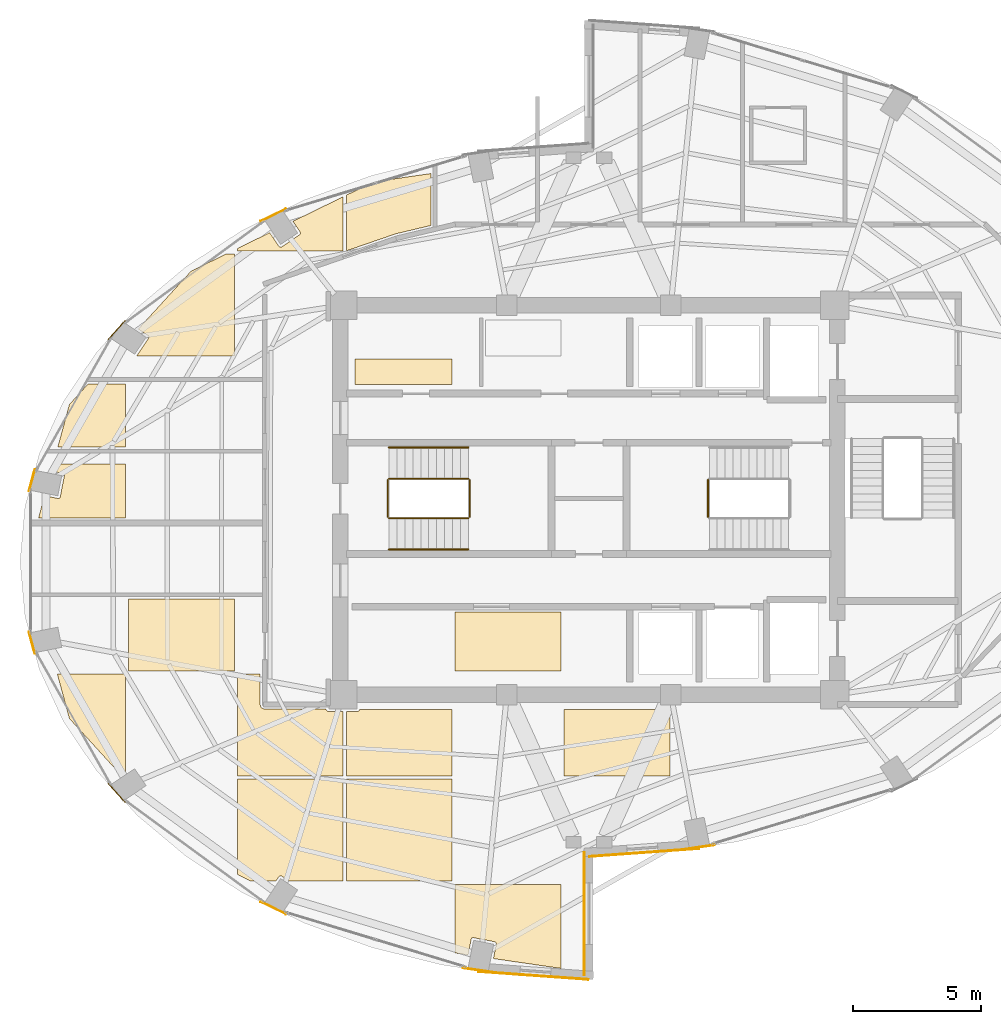
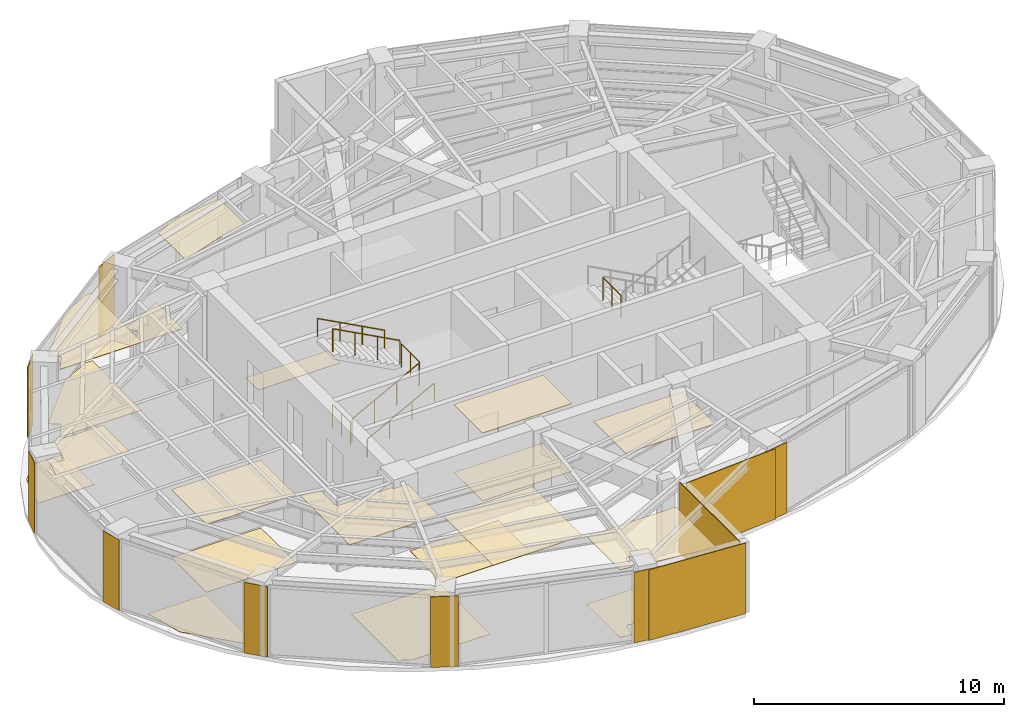
# One storey, part 22 of 23: 30 coverings, 7 railings.
"""IFC4 building model written with IfcOpenShell, lengths in metres."""

from ifc_helpers import new_model, si_unit, direction, frame, origin, origin_2d, place, context, subcontext, project, spatial, polyline, rectangle, circle, outline, extrude, material, layer, layer_set, type_object, element, save


model = new_model("IFC4")

# Units and contexts
model_context = context("Model", 3, precision=1e-05, world=origin(), true_north=direction((0.0, 1.0)))
body_context = subcontext(model_context, "Body", "Model", "MODEL_VIEW")
ifc_project = project(units=[si_unit("LENGTHUNIT", "METRE"), si_unit("AREAUNIT", "SQUARE_METRE"), si_unit("VOLUMEUNIT", "CUBIC_METRE"), si_unit("PLANEANGLEUNIT", "RADIAN"), si_unit("MASSUNIT", "GRAM", prefix="KILO")], contexts=[model_context])

# Site, building, storey
site_placement = place(None, origin())
site = spatial("IfcSite", under=ifc_project, at=site_placement, CompositionType="ELEMENT")
building_placement = place(site_placement, origin())
building = spatial("IfcBuilding", under=site, at=building_placement, Name="Lazwardi Medical Tower", CompositionType="ELEMENT")
storey_placement = place(building_placement, frame((0.0, 0.0, 202.1279296875)))
storey = spatial("IfcBuildingStorey", under=building, at=storey_placement, Name="L52", CompositionType="ELEMENT", Elevation=202.1279296875)

# Coverings
ifc_material_1 = material(Name="Anodised bronze aluminium cassette cladding", Category="aluminium")
ifc_layer_1 = layer(ifc_material_1, 0.030029296875)
ifc_layer_set_1 = layer_set([ifc_layer_1], Name="Anodised bronze aluminium cassette cladding")
covering_type_1 = type_object("IfcCoveringType", Name="COV-CLD-BRZ", PredefinedType="CLADDING", material=ifc_layer_set_1)
covering_1_placement = place(storey_placement, frame((40.3232421875, 14.450439453125, 0.0), z_axis=(0.0, 0.0, 1.0), x_axis=(0.989512431533, 0.144447733943, 0.0)))
element("IfcCovering", 1, at=covering_1_placement, inside=storey, type_object=covering_type_1, Name="L52 Mega-column bronze cassette cover M01", PredefinedType="CLADDING", context=body_context, shape_type="SweptSolid", body=[
    extrude(rectangle(XDim=1.188720703125, YDim=0.030029296875, at=origin_2d()), origin(), (0.0, 0.0, 1.0), 3.447998046875),
])
covering_2_placement = place(storey_placement, frame((23.688720703125, 39.121337890625, 0.0), z_axis=(0.0, 0.0, 1.0), x_axis=(-0.897840141691, -0.440321564278, 0.0)))
element("IfcCovering", 2, at=covering_2_placement, inside=storey, type_object=covering_type_1, Name="L52 Mega-column bronze cassette cover M10", PredefinedType="CLADDING", context=body_context, shape_type="SweptSolid", body=[
    extrude(rectangle(XDim=1.110595703125, YDim=0.030029296875, at=origin_2d()), origin(), (0.0, 0.0, 1.0), 3.447998046875),
])
covering_3_placement = place(storey_placement, frame((17.57470703125, 34.634765625, 0.0), z_axis=(0.0, 0.0, 1.0), x_axis=(-0.673240970654, -0.739423150458, 0.0)))
element("IfcCovering", 3, at=covering_3_placement, inside=storey, type_object=covering_type_1, Name="L52 Mega-column bronze cassette cover M11", PredefinedType="CLADDING", context=body_context, shape_type="SweptSolid", body=[
    extrude(rectangle(XDim=0.98974609375, YDim=0.030029296875, at=origin_2d()), origin(), (0.0, 0.0, 1.0), 3.447998046875),
])
for number, where, z_axis, x_axis, name in (
    (4, (14.265869140625, 28.772705078125, 0.0), (0.0, 0.0, 1.0), (-0.261641748247, -0.96516506131, 0.0), "L52 Mega-column bronze cassette cover M12"),
    (5, (14.265869140625, 22.427490234375, 0.0), (0.0, 0.0, 1.0), (0.261641748247, -0.96516506131, 0.0), "L52 Mega-column bronze cassette cover M13"),
):
    element("IfcCovering", number, at=place(storey_placement, frame(where, z_axis=z_axis, x_axis=x_axis)), inside=storey, type_object=covering_type_1, Name=name, PredefinedType="CLADDING", context=body_context, shape_type="SweptSolid", body=[
        extrude(rectangle(XDim=0.894287109375, YDim=0.030029296875, at=origin_2d()), origin(), (0.0, 0.0, 1.0), 3.447998046875),
    ])
covering_4_placement = place(storey_placement, frame((17.57470703125, 16.565185546875, 0.0), z_axis=(0.0, 0.0, 1.0), x_axis=(0.673240970654, -0.739423150458, 0.0)))
element("IfcCovering", 6, at=covering_4_placement, inside=storey, type_object=covering_type_1, Name="L52 Mega-column bronze cassette cover M14", PredefinedType="CLADDING", context=body_context, shape_type="SweptSolid", body=[
    extrude(rectangle(XDim=0.98974609375, YDim=0.030029296875, at=origin_2d()), origin(), (0.0, 0.0, 1.0), 3.447998046875),
])
covering_5_placement = place(storey_placement, frame((23.688720703125, 12.07861328125, 0.0), z_axis=(0.0, 0.0, 1.0), x_axis=(0.897840141691, -0.440321564278, 0.0)))
element("IfcCovering", 7, at=covering_5_placement, inside=storey, type_object=covering_type_1, Name="L52 Mega-column bronze cassette cover M15", PredefinedType="CLADDING", context=body_context, shape_type="SweptSolid", body=[
    extrude(rectangle(XDim=1.110595703125, YDim=0.030029296875, at=origin_2d()), origin(), (0.0, 0.0, 1.0), 3.447998046875),
])
covering_6_placement = place(storey_placement, frame((31.6767578125, 9.650390625, 0.0), z_axis=(0.0, 0.0, 1.0), x_axis=(0.989512431533, -0.144447733943, 0.0)))
element("IfcCovering", 8, at=covering_6_placement, inside=storey, type_object=covering_type_1, Name="L52 Mega-column bronze cassette cover M16", PredefinedType="CLADDING", context=body_context, shape_type="SweptSolid", body=[
    extrude(rectangle(XDim=1.188720703125, YDim=0.030029296875, at=origin_2d()), origin(), (0.0, 0.0, 1.0), 3.447998046875),
])
ifc_material_2 = material(Name="Turquoise glazed ceramic tilework cladding", Category="masonry")
ifc_layer_2 = layer(ifc_material_2, 0.034912109375)
ifc_layer_set_2 = layer_set([ifc_layer_2], Name="Turquoise glazed ceramic tilework cladding")
covering_type_2 = type_object("IfcCoveringType", Name="COV-CLD-TRQ", PredefinedType="CLADDING", material=ifc_layer_set_2)
covering_7_placement = place(storey_placement, frame((38.16259765625, 14.239990234375, 0.0), z_axis=(0.0, 0.0, 1.0), x_axis=(0.997409491337, 0.071932653157, 0.0)))
element("IfcCovering", 9, at=covering_7_placement, inside=storey, type_object=covering_type_2, Name="L52 Turquoise glazed ceramic tilework cladding", PredefinedType="CLADDING", context=body_context, shape_type="SweptSolid", body=[
    extrude(rectangle(XDim=4.31103515625, YDim=0.034912109375, at=origin_2d()), origin(), (0.0, 0.0, 1.0), 3.447998046875),
])
covering_8_placement = place(storey_placement, frame((33.83740234375, 9.43994140625, 0.0), z_axis=(0.0, 0.0, 1.0), x_axis=(0.997408989128, -0.071939616387, 0.0)))
element("IfcCovering", 10, at=covering_8_placement, inside=storey, type_object=covering_type_2, Name="L52 Turquoise glazed ceramic tilework cladding", PredefinedType="CLADDING", context=body_context, shape_type="SweptSolid", body=[
    extrude(rectangle(XDim=4.310546875, YDim=0.034912109375, at=origin_2d()), origin(), (0.0, 0.0, 1.0), 3.447998046875),
])
covering_9_placement = place(storey_placement, frame((35.824462890625, 11.860107421875, 0.0), z_axis=(0.0, 0.0, 1.0), x_axis=(0.0, 1.0, 0.0)))
element("IfcCovering", 11, at=covering_9_placement, inside=storey, type_object=covering_type_2, Name="L52 Turquoise glazed ceramic tilework iwan panel", PredefinedType="CLADDING", context=body_context, shape_type="SweptSolid", body=[
    extrude(rectangle(XDim=4.800048828125, YDim=0.034912109375, at=origin_2d()), origin(), (0.0, 0.0, 1.0), 3.447998046875),
])
ifc_material_3 = material(Name="Acoustic mineral fibre tile")
ifc_layer_3 = layer(ifc_material_3, 0.02490234375)
ifc_layer_set_3 = layer_set([ifc_layer_3], Name="Acoustic mineral fibre tile")
covering_type_3 = type_object("IfcCoveringType", Name="COV-CLG-01", PredefinedType="CEILING", material=ifc_layer_set_3)
covering_10_placement = place(storey_placement, frame((0.0, 0.0, 3.302978515625)))
element("IfcCovering", 12, at=covering_10_placement, inside=storey, type_object=covering_type_3, Name="L52 Clinical Acoustic Ceiling 1", PredefinedType="CEILING", context=body_context, shape_type="SweptSolid", body=[
    extrude(outline(polyline([(15.09619140625, 29.402587890625), (15.0224609375, 29.13134765625), (15.4716796875, 29.0419921875), (15.479248046875, 29.040283203125), (15.486572265625, 29.03759765625), (15.49365234375, 29.0341796875), (15.50048828125, 29.030029296875), (15.5068359375, 29.025390625), (15.5126953125, 29.020263671875), (15.517822265625, 29.014404296875), (15.5224609375, 29.008056640625), (15.526611328125, 29.001220703125), (15.52978515625, 28.994140625), (15.53271484375, 28.98681640625), (15.534423828125, 28.979248046875), (15.53564453125, 28.971435546875), (15.535888671875, 28.963623046875), (15.53564453125, 28.955810546875), (15.534423828125, 28.947998046875), (15.37060546875, 28.124267578125), (15.36865234375, 28.11669921875), (15.365966796875, 28.109130859375), (15.36279296875, 28.10205078125), (15.358642578125, 28.095458984375), (15.35400390625, 28.089111328125), (15.3486328125, 28.083251953125), (15.343017578125, 28.077880859375), (15.33642578125, 28.0732421875), (15.329833984375, 28.069091796875), (15.32275390625, 28.06591796875), (15.315185546875, 28.063232421875), (15.3076171875, 28.061279296875), (15.2998046875, 28.060302734375), (15.2919921875, 28.059814453125), (15.2841796875, 28.060302734375), (15.276611328125, 28.061279296875), (14.759521484375, 28.1640625), (14.52490234375, 27.300048828125), (17.912841796875, 27.300048828125), (17.912841796875, 29.402587890625), (15.09619140625, 29.402587890625)])), origin(), (0.0, 0.0, 1.0), 0.025146484375),
])
covering_11_placement = place(storey_placement, frame((0.0, 0.0, 3.302978515625)))
element("IfcCovering", 13, at=covering_11_placement, inside=storey, type_object=covering_type_3, Name="L52 Clinical Acoustic Ceiling 2", PredefinedType="CEILING", context=body_context, shape_type="SweptSolid", body=[
    extrude(outline(polyline([(22.162841796875, 24.135009765625), (18.032958984375, 24.135009765625), (18.032958984375, 21.322509765625), (22.162841796875, 21.322509765625), (22.162841796875, 24.135009765625)])), origin(), (0.0, 0.0, 1.0), 0.025146484375),
])
covering_12_placement = place(storey_placement, frame((0.0, 0.0, 3.302978515625)))
element("IfcCovering", 14, at=covering_12_placement, inside=storey, type_object=covering_type_3, Name="L52 Clinical Acoustic Ceiling 3", PredefinedType="CEILING", context=body_context, shape_type="SweptSolid", body=[
    extrude(outline(polyline([(21.84619140625, 37.6025390625), (20.478271484375, 36.933349609375), (18.415283203125, 34.673095703125), (18.7919921875, 34.42138671875), (18.79833984375, 34.416748046875), (18.80419921875, 34.41162109375), (18.809326171875, 34.40576171875), (18.814208984375, 34.3994140625), (18.818115234375, 34.392578125), (18.821533203125, 34.385498046875), (18.82421875, 34.378173828125), (18.826171875, 34.37060546875), (18.8271484375, 34.36279296875), (18.82763671875, 34.35498046875), (18.8271484375, 34.34716796875), (18.826171875, 34.33935546875), (18.82421875, 34.331787109375), (18.821533203125, 34.324462890625), (18.818115234375, 34.3173828125), (18.814208984375, 34.310546875), (18.354248046875, 33.62255859375), (22.162841796875, 33.62255859375), (22.162841796875, 37.6025390625), (21.84619140625, 37.6025390625)])), origin(), (0.0, 0.0, 1.0), 0.025146484375),
])
covering_13_placement = place(storey_placement, frame((0.0, 0.0, 3.302978515625)))
element("IfcCovering", 15, at=covering_13_placement, inside=storey, type_object=covering_type_3, Name="L52 Clinical Acoustic Ceiling 4", PredefinedType="CEILING", context=body_context, shape_type="SweptSolid", body=[
    extrude(outline(polyline([(26.412841796875, 19.75), (25.830078125, 19.75), (25.822265625, 19.75048828125), (25.814453125, 19.75146484375), (25.806884765625, 19.75341796875), (25.79931640625, 19.756103515625), (25.792236328125, 19.759521484375), (25.78564453125, 19.763427734375), (25.779296875, 19.768310546875), (25.7734375, 19.7734375), (25.768310546875, 19.779296875), (25.763427734375, 19.78564453125), (25.759521484375, 19.792236328125), (25.756103515625, 19.79931640625), (25.75341796875, 19.806884765625), (25.75146484375, 19.814453125), (25.75048828125, 19.822265625), (25.75, 19.830078125), (25.75, 19.844970703125), (23.35009765625, 19.844970703125), (23.345703125, 19.84521484375), (23.33642578125, 19.845703125), (23.32958984375, 19.84619140625), (23.3203125, 19.84765625), (23.31201171875, 19.84912109375), (23.302734375, 19.8515625), (23.2958984375, 19.853515625), (23.287109375, 19.856689453125), (23.279296875, 19.860107421875), (23.270751953125, 19.864013671875), (23.263916015625, 19.86767578125), (23.256103515625, 19.872314453125), (23.249267578125, 19.876953125), (23.24169921875, 19.882568359375), (23.236083984375, 19.88720703125), (23.229248046875, 19.893310546875), (23.223388671875, 19.8994140625), (23.217041015625, 19.90625), (23.21240234375, 19.911865234375), (23.206787109375, 19.919189453125), (23.202392578125, 19.926025390625), (23.197509765625, 19.93408203125), (23.194091796875, 19.94091796875), (23.18994140625, 19.94921875), (23.186767578125, 19.95703125), (23.18359375, 19.9658203125), (23.181396484375, 19.972900390625), (23.17919921875, 19.98193359375), (23.177490234375, 19.990234375), (23.17626953125, 19.99951171875), (23.175537109375, 20.00634765625), (23.175048828125, 20.015625), (23.175048828125, 20.02001953125), (23.175048828125, 21.202392578125), (22.282958984375, 21.202392578125), (22.282958984375, 17.222412109375), (26.412841796875, 17.222412109375), (26.412841796875, 19.75)])), origin(), (0.0, 0.0, 1.0), 0.025146484375),
])
covering_14_placement = place(storey_placement, frame((0.0, 0.0, 3.302978515625)))
element("IfcCovering", 16, at=covering_14_placement, inside=storey, type_object=covering_type_3, Name="L52 Clinical Acoustic Ceiling 5", PredefinedType="CEILING", context=body_context, shape_type="SweptSolid", body=[
    extrude(outline(polyline([(30.662841796875, 13.12255859375), (30.662841796875, 17.1025390625), (26.532958984375, 17.1025390625), (26.532958984375, 13.12255859375), (30.662841796875, 13.12255859375)])), origin(), (0.0, 0.0, 1.0), 0.025146484375),
])
covering_15_placement = place(storey_placement, frame((0.0, 0.0, 3.302978515625)))
element("IfcCovering", 17, at=covering_15_placement, inside=storey, type_object=covering_type_3, Name="L52 Clinical Acoustic Ceiling 6", PredefinedType="CEILING", context=body_context, shape_type="SweptSolid", body=[
    extrude(outline(polyline([(26.532958984375, 37.72265625), (28.457763671875, 38.385498046875), (28.461669921875, 38.386962890625), (28.470703125, 38.389404296875), (28.474365234375, 38.390380859375), (29.8349609375, 38.713134765625), (29.8349609375, 40.741455078125), (27.59716796875, 40.41552734375), (26.532958984375, 39.89501953125), (26.532958984375, 37.72265625)])), origin(), (0.0, 0.0, 1.0), 0.025146484375),
])
covering_16_placement = place(storey_placement, frame((0.0, 0.0, 3.302978515625)))
element("IfcCovering", 18, at=covering_16_placement, inside=storey, type_object=covering_type_3, Name="L52 Clinical Acoustic Ceiling 7", PredefinedType="CEILING", context=body_context, shape_type="SweptSolid", body=[
    extrude(outline(polyline([(30.782958984375, 10.320556640625), (31.285400390625, 10.247314453125), (31.40673828125, 10.8583984375), (31.40869140625, 10.865966796875), (31.411376953125, 10.873291015625), (31.414794921875, 10.88037109375), (31.418701171875, 10.88720703125), (31.423583984375, 10.8935546875), (31.4287109375, 10.8994140625), (31.4345703125, 10.904541015625), (31.44091796875, 10.9091796875), (31.447509765625, 10.913330078125), (31.45458984375, 10.91650390625), (31.462158203125, 10.919189453125), (31.4697265625, 10.921142578125), (31.4775390625, 10.92236328125), (31.4853515625, 10.922607421875), (31.4931640625, 10.92236328125), (31.5009765625, 10.921142578125), (32.32470703125, 10.75732421875), (32.332275390625, 10.75537109375), (32.339599609375, 10.752685546875), (32.3466796875, 10.74951171875), (32.353515625, 10.745361328125), (32.35986328125, 10.740478515625), (32.36572265625, 10.7353515625), (32.370849609375, 10.7294921875), (32.37548828125, 10.72314453125), (32.379638671875, 10.716552734375), (32.383056640625, 10.70947265625), (32.3857421875, 10.701904296875), (32.3876953125, 10.6943359375), (32.388671875, 10.6865234375), (32.38916015625, 10.6787109375), (32.388671875, 10.6708984375), (32.3876953125, 10.6630859375), (32.276123046875, 10.10302734375), (34.912841796875, 9.71923828125), (34.912841796875, 13.00244140625), (30.782958984375, 13.00244140625), (30.782958984375, 10.320556640625)])), origin(), (0.0, 0.0, 1.0), 0.025146484375),
])
covering_17_placement = place(storey_placement, frame((0.0, 0.0, 3.302978515625)))
element("IfcCovering", 19, at=covering_17_placement, inside=storey, type_object=covering_type_3, Name="L52 Clinical Acoustic Ceiling 8", PredefinedType="CEILING", context=body_context, shape_type="SweptSolid", body=[
    extrude(outline(polyline([(34.912841796875, 23.6201171875), (30.782958984375, 23.6201171875), (30.782958984375, 21.322509765625), (34.912841796875, 21.322509765625), (34.912841796875, 23.6201171875)])), origin(), (0.0, 0.0, 1.0), 0.025146484375),
])
covering_18_placement = place(storey_placement, frame((0.0, 0.0, 3.302978515625)))
element("IfcCovering", 20, at=covering_18_placement, inside=storey, type_object=covering_type_3, Name="L52 Clinical Acoustic Ceiling 10", PredefinedType="CEILING", context=body_context, shape_type="SweptSolid", body=[
    extrude(outline(polyline([(39.162841796875, 19.820068359375), (35.032958984375, 19.820068359375), (35.032958984375, 17.222412109375), (39.162841796875, 17.222412109375), (39.162841796875, 19.820068359375)])), origin(), (0.0, 0.0, 1.0), 0.025146484375),
])
ifc_material_4 = material(Name="Anti-static hospital vinyl sheet flooring")
ifc_layer_4 = layer(ifc_material_4, 0.014892578125)
ifc_layer_set_4 = layer_set([ifc_layer_4], Name="Anti-static hospital vinyl sheet flooring")
covering_type_4 = type_object("IfcCoveringType", Name="COV-FLR-01", PredefinedType="FLOORING", material=ifc_layer_set_4)
covering_19_placement = place(storey_placement, origin())
element("IfcCovering", 21, at=covering_19_placement, inside=storey, type_object=covering_type_4, Name="L52 Clinical Vinyl Flooring 1", PredefinedType="FLOORING", context=body_context, shape_type="SweptSolid", body=[
    extrude(outline(polyline([(15.2578125, 21.202392578125), (15.728271484375, 19.470703125), (17.7333984375, 17.273681640625), (17.912841796875, 17.393798828125), (17.912841796875, 21.202392578125), (15.2578125, 21.202392578125)])), origin(), (0.0, 0.0, 1.0), 0.01513671875),
])
covering_20_placement = place(storey_placement, origin())
element("IfcCovering", 22, at=covering_20_placement, inside=storey, type_object=covering_type_4, Name="L52 Clinical Vinyl Flooring 2", PredefinedType="FLOORING", context=body_context, shape_type="SweptSolid", body=[
    extrude(outline(polyline([(17.912841796875, 32.534912109375), (16.4638671875, 32.534912109375), (15.728271484375, 31.729248046875), (15.276123046875, 30.06494140625), (17.912841796875, 30.06494140625), (17.912841796875, 32.534912109375)])), origin(), (0.0, 0.0, 1.0), 0.01513671875),
])
covering_21_placement = place(storey_placement, origin())
element("IfcCovering", 23, at=covering_21_placement, inside=storey, type_object=covering_type_4, Name="L52 Clinical Vinyl Flooring 3", PredefinedType="FLOORING", context=body_context, shape_type="SweptSolid", body=[
    extrude(outline(polyline([(22.162841796875, 24.135009765625), (18.032958984375, 24.135009765625), (18.032958984375, 21.322509765625), (22.162841796875, 21.322509765625), (22.162841796875, 24.135009765625)])), origin(), (0.0, 0.0, 1.0), 0.01513671875),
])
covering_22_placement = place(storey_placement, origin())
element("IfcCovering", 24, at=covering_22_placement, inside=storey, type_object=covering_type_4, Name="L52 Clinical Vinyl Flooring 4", PredefinedType="FLOORING", context=body_context, shape_type="SweptSolid", body=[
    extrude(outline(polyline([(21.84619140625, 37.6025390625), (20.478271484375, 36.933349609375), (18.415283203125, 34.673095703125), (18.7919921875, 34.42138671875), (18.79833984375, 34.416748046875), (18.80419921875, 34.41162109375), (18.809326171875, 34.40576171875), (18.814208984375, 34.3994140625), (18.818115234375, 34.392578125), (18.821533203125, 34.385498046875), (18.82421875, 34.378173828125), (18.826171875, 34.37060546875), (18.8271484375, 34.36279296875), (18.82763671875, 34.35498046875), (18.8271484375, 34.34716796875), (18.826171875, 34.33935546875), (18.82421875, 34.331787109375), (18.821533203125, 34.324462890625), (18.818115234375, 34.3173828125), (18.814208984375, 34.310546875), (18.354248046875, 33.62255859375), (22.162841796875, 33.62255859375), (22.162841796875, 37.6025390625), (21.84619140625, 37.6025390625)])), origin(), (0.0, 0.0, 1.0), 0.01513671875),
])
covering_23_placement = place(storey_placement, origin())
element("IfcCovering", 25, at=covering_23_placement, inside=storey, type_object=covering_type_4, Name="L52 Clinical Vinyl Flooring 5", PredefinedType="FLOORING", context=body_context, shape_type="SweptSolid", body=[
    extrude(outline(polyline([(22.282958984375, 13.3837890625), (22.8173828125, 13.12255859375), (23.78369140625, 13.12255859375), (23.900634765625, 13.297607421875), (23.905517578125, 13.303955078125), (23.91064453125, 13.309814453125), (23.91650390625, 13.31494140625), (23.9228515625, 13.319580078125), (23.929443359375, 13.32373046875), (23.9365234375, 13.3271484375), (23.944091796875, 13.329833984375), (23.95166015625, 13.331787109375), (23.95947265625, 13.332763671875), (23.96728515625, 13.333251953125), (23.97509765625, 13.332763671875), (23.98291015625, 13.331787109375), (23.990478515625, 13.329833984375), (23.997802734375, 13.3271484375), (24.0048828125, 13.32373046875), (24.01171875, 13.319580078125), (24.306884765625, 13.12255859375), (26.412841796875, 13.12255859375), (26.412841796875, 17.1025390625), (22.282958984375, 17.1025390625), (22.282958984375, 13.3837890625)])), origin(), (0.0, 0.0, 1.0), 0.01513671875),
])
covering_24_placement = place(storey_placement, origin())
element("IfcCovering", 26, at=covering_24_placement, inside=storey, type_object=covering_type_4, Name="L52 Clinical Vinyl Flooring 6", PredefinedType="FLOORING", context=body_context, shape_type="SweptSolid", body=[
    extrude(outline(polyline([(26.412841796875, 39.836181640625), (24.4521484375, 38.877197265625), (24.732177734375, 38.4580078125), (24.736083984375, 38.451171875), (24.739501953125, 38.444091796875), (24.7421875, 38.436767578125), (24.744140625, 38.42919921875), (24.7451171875, 38.42138671875), (24.74560546875, 38.41357421875), (24.7451171875, 38.40576171875), (24.744140625, 38.39794921875), (24.7421875, 38.390380859375), (24.739501953125, 38.3828125), (24.736083984375, 38.375732421875), (24.732177734375, 38.369140625), (24.727294921875, 38.36279296875), (24.72216796875, 38.35693359375), (24.71630859375, 38.351806640625), (24.7099609375, 38.346923828125), (24.01171875, 37.88037109375), (24.0048828125, 37.876220703125), (23.997802734375, 37.872802734375), (23.990478515625, 37.8701171875), (23.98291015625, 37.868408203125), (23.97509765625, 37.8671875), (23.96728515625, 37.86669921875), (23.95947265625, 37.8671875), (23.95166015625, 37.868408203125), (23.944091796875, 37.8701171875), (23.9365234375, 37.872802734375), (23.929443359375, 37.876220703125), (23.9228515625, 37.88037109375), (23.91650390625, 37.885009765625), (23.91064453125, 37.89013671875), (23.905517578125, 37.89599609375), (23.900634765625, 37.90234375), (23.545654296875, 38.43359375), (22.282958984375, 37.816162109375), (22.282958984375, 37.722412109375), (26.412841796875, 37.722412109375), (26.412841796875, 39.836181640625)])), origin(), (0.0, 0.0, 1.0), 0.01513671875),
])
covering_25_placement = place(storey_placement, origin())
element("IfcCovering", 27, at=covering_25_placement, inside=storey, type_object=covering_type_4, Name="L52 Clinical Vinyl Flooring 7", PredefinedType="FLOORING", context=body_context, shape_type="SweptSolid", body=[
    extrude(outline(polyline([(30.662841796875, 19.820068359375), (27.04931640625, 19.820068359375), (27.048583984375, 19.814453125), (27.046630859375, 19.806884765625), (27.0439453125, 19.79931640625), (27.04052734375, 19.792236328125), (27.03662109375, 19.78564453125), (27.03173828125, 19.779296875), (27.026611328125, 19.7734375), (27.020751953125, 19.768310546875), (27.014404296875, 19.763427734375), (27.0078125, 19.759521484375), (27.00048828125, 19.756103515625), (26.9931640625, 19.75341796875), (26.985595703125, 19.75146484375), (26.977783203125, 19.75048828125), (26.969970703125, 19.75), (26.532958984375, 19.75), (26.532958984375, 17.222412109375), (30.662841796875, 17.222412109375), (30.662841796875, 19.820068359375)])), origin(), (0.0, 0.0, 1.0), 0.01513671875),
])
covering_26_placement = place(storey_placement, origin())
element("IfcCovering", 28, at=covering_26_placement, inside=storey, type_object=covering_type_4, Name="L52 Clinical Vinyl Flooring 8", PredefinedType="FLOORING", context=body_context, shape_type="SweptSolid", body=[
    extrude(outline(polyline([(26.8798828125, 33.50244140625), (26.8798828125, 32.5), (30.662841796875, 32.5), (30.662841796875, 33.50244140625), (26.8798828125, 33.50244140625)])), origin(), (0.0, 0.0, 1.0), 0.01513671875),
])
covering_27_placement = place(storey_placement, origin())
element("IfcCovering", 29, at=covering_27_placement, inside=storey, type_object=covering_type_4, Name="L52 Clinical Vinyl Flooring 9", PredefinedType="FLOORING", context=body_context, shape_type="SweptSolid", body=[
    extrude(outline(polyline([(30.782958984375, 10.320556640625), (31.285400390625, 10.247314453125), (31.40673828125, 10.8583984375), (31.40869140625, 10.865966796875), (31.411376953125, 10.873291015625), (31.414794921875, 10.88037109375), (31.418701171875, 10.88720703125), (31.423583984375, 10.8935546875), (31.4287109375, 10.8994140625), (31.4345703125, 10.904541015625), (31.44091796875, 10.9091796875), (31.447509765625, 10.913330078125), (31.45458984375, 10.91650390625), (31.462158203125, 10.919189453125), (31.4697265625, 10.921142578125), (31.4775390625, 10.92236328125), (31.4853515625, 10.922607421875), (31.4931640625, 10.92236328125), (31.5009765625, 10.921142578125), (32.32470703125, 10.75732421875), (32.332275390625, 10.75537109375), (32.339599609375, 10.752685546875), (32.3466796875, 10.74951171875), (32.353515625, 10.745361328125), (32.35986328125, 10.740478515625), (32.36572265625, 10.7353515625), (32.370849609375, 10.7294921875), (32.37548828125, 10.72314453125), (32.379638671875, 10.716552734375), (32.383056640625, 10.70947265625), (32.3857421875, 10.701904296875), (32.3876953125, 10.6943359375), (32.388671875, 10.6865234375), (32.38916015625, 10.6787109375), (32.388671875, 10.6708984375), (32.3876953125, 10.6630859375), (32.276123046875, 10.10302734375), (34.912841796875, 9.71923828125), (34.912841796875, 13.00244140625), (30.782958984375, 13.00244140625), (30.782958984375, 10.320556640625)])), origin(), (0.0, 0.0, 1.0), 0.01513671875),
])
covering_28_placement = place(storey_placement, origin())
element("IfcCovering", 30, at=covering_28_placement, inside=storey, type_object=covering_type_4, Name="L52 Clinical Vinyl Flooring 10", PredefinedType="FLOORING", context=body_context, shape_type="SweptSolid", body=[
    extrude(outline(polyline([(34.912841796875, 23.6201171875), (30.782958984375, 23.6201171875), (30.782958984375, 21.322509765625), (34.912841796875, 21.322509765625), (34.912841796875, 23.6201171875)])), origin(), (0.0, 0.0, 1.0), 0.01513671875),
])

# Railings
ifc_material_5 = material(Name="Stainless steel Grade 316", Category="steel")
railing_type_1 = type_object("IfcRailingType", Name="RLG-GRD-1150", PredefinedType="GUARDRAIL", material=ifc_material_5)
railing_1_placement = place(storey_placement, frame((28.199951171875, 27.2900390625, 0.165771484375)))
element("IfcRailing", 31, at=railing_1_placement, inside=storey, type_object=railing_type_1, Name="L52 ST1 stair guard 1", PredefinedType="GUARDRAIL", context=body_context, shape_type="SweptSolid", body=[
    extrude(circle(Radius=0.02392578125, at=origin_2d()), frame((0.0, 0.0, 1.1259765625), z_axis=(0.881783298633, 0.0, 0.471654761719), x_axis=(0.0, 1.0, 0.0)), (0.0, 0.0, 1.0), 3.515625),
    extrude(circle(Radius=0.02099609375, at=origin_2d()), origin(), (0.0, 0.0, 1.0), 1.099853515625),
    extrude(circle(Radius=0.02099609375, at=origin_2d()), frame((1.033447265625, 0.0, 0.552734375)), (0.0, 0.0, 1.0), 1.099853515625),
    extrude(circle(Radius=0.02099609375, at=origin_2d()), frame((2.066650390625, 0.0, 1.10546875)), (0.0, 0.0, 1.0), 1.099853515625),
    extrude(circle(Radius=0.02099609375, at=origin_2d()), frame((3.10009765625, 0.0, 1.658203125)), (0.0, 0.0, 1.0), 1.099853515625),
])
railing_2_placement = place(storey_placement, frame((31.35009765625, 27.340087890625, 1.823974609375)))
element("IfcRailing", 32, at=railing_2_placement, inside=storey, type_object=railing_type_1, Name="L52 ST1 stair guard 2", PredefinedType="GUARDRAIL", context=body_context, shape_type="SweptSolid", body=[
    extrude(circle(Radius=0.02392578125, at=origin_2d()), frame((0.0, 0.0, 1.1259765625), z_axis=(0.0, 1.0, 0.0), x_axis=(-1.0, 0.0, 0.0)), (0.0, 0.0, 1.0), 1.43994140625),
    extrude(circle(Radius=0.02099609375, at=origin_2d()), origin(), (0.0, 0.0, 1.0), 1.099853515625),
    extrude(circle(Radius=0.02099609375, at=origin_2d()), frame((0.0, 0.719970703125, 0.0)), (0.0, 0.0, 1.0), 1.099853515625),
    extrude(circle(Radius=0.02099609375, at=origin_2d()), frame((0.0, 1.43994140625, 0.0)), (0.0, 0.0, 1.0), 1.099853515625),
])
railing_3_placement = place(storey_placement, frame((31.300048828125, 28.830078125, 1.989990234375)))
element("IfcRailing", 33, at=railing_3_placement, inside=storey, type_object=railing_type_1, Name="L52 ST1 stair guard 3", PredefinedType="GUARDRAIL", context=body_context, shape_type="SweptSolid", body=[
    extrude(circle(Radius=0.02392578125, at=origin_2d()), frame((0.0, 0.0, 1.1259765625), z_axis=(-0.881812178953, 0.0, 0.471600764472), x_axis=(0.0, -1.0, 0.0)), (0.0, 0.0, 1.0), 3.515625),
    extrude(circle(Radius=0.02099609375, at=origin_2d()), origin(), (0.0, 0.0, 1.0), 1.099853515625),
    extrude(circle(Radius=0.02099609375, at=origin_2d()), frame((-1.033447265625, 0.0, 0.552734375)), (0.0, 0.0, 1.0), 1.099853515625),
    extrude(circle(Radius=0.02099609375, at=origin_2d()), frame((-2.066650390625, 0.0, 1.105224609375)), (0.0, 0.0, 1.0), 1.099853515625),
    extrude(circle(Radius=0.02099609375, at=origin_2d()), frame((-3.10009765625, 0.0, 1.657958984375)), (0.0, 0.0, 1.0), 1.099853515625),
])
railing_4_placement = place(storey_placement, frame((28.14990234375, 27.340087890625, 0.0)))
element("IfcRailing", 34, at=railing_4_placement, inside=storey, type_object=railing_type_1, Name="L52 ST1 stair guard 4", PredefinedType="GUARDRAIL", context=body_context, shape_type="SweptSolid", body=[
    extrude(circle(Radius=0.02392578125, at=origin_2d()), frame((0.0, 0.0, 1.1259765625), z_axis=(0.0, 1.0, 0.0), x_axis=(-1.0, 0.0, 0.0)), (0.0, 0.0, 1.0), 1.43994140625),
    extrude(circle(Radius=0.02099609375, at=origin_2d()), origin(), (0.0, 0.0, 1.0), 1.099853515625),
    extrude(circle(Radius=0.02099609375, at=origin_2d()), frame((0.0, 0.719970703125, 0.0)), (0.0, 0.0, 1.0), 1.099853515625),
    extrude(circle(Radius=0.02099609375, at=origin_2d()), frame((0.0, 1.43994140625, 0.0)), (0.0, 0.0, 1.0), 1.099853515625),
])
railing_5_placement = place(storey_placement, frame((40.64990234375, 28.780029296875, 1.823974609375)))
element("IfcRailing", 35, at=railing_5_placement, inside=storey, type_object=railing_type_1, Name="L52 ST2 stair guard 2", PredefinedType="GUARDRAIL", context=body_context, shape_type="SweptSolid", body=[
    extrude(circle(Radius=0.02392578125, at=origin_2d()), frame((0.0, 0.0, 1.1259765625), z_axis=(0.0, -1.0, 0.0), x_axis=(1.0, 0.0, 0.0)), (0.0, 0.0, 1.0), 1.43994140625),
    extrude(circle(Radius=0.02099609375, at=origin_2d()), origin(), (0.0, 0.0, 1.0), 1.099853515625),
    extrude(circle(Radius=0.02099609375, at=origin_2d()), frame((0.0, -0.719970703125, 0.0)), (0.0, 0.0, 1.0), 1.099853515625),
    extrude(circle(Radius=0.02099609375, at=origin_2d()), frame((0.0, -1.43994140625, 0.0)), (0.0, 0.0, 1.0), 1.099853515625),
])
railing_type_2 = type_object("IfcRailingType", Name="RLG-HND-920", PredefinedType="HANDRAIL", material=ifc_material_5)
railing_6_placement = place(storey_placement, frame((28.199951171875, 26.070068359375, 0.165771484375)))
element("IfcRailing", 36, at=railing_6_placement, inside=storey, type_object=railing_type_2, Name="L52 ST1 stair handrail 1", PredefinedType="HANDRAIL", context=body_context, shape_type="SweptSolid", body=[
    extrude(circle(Radius=0.02392578125, at=origin_2d()), frame((0.0, 0.0, 0.8857421875), z_axis=(0.881783298633, 0.0, 0.471654761719), x_axis=(0.0, 1.0, 0.0)), (0.0, 0.0, 1.0), 3.515625),
    extrude(circle(Radius=0.02099609375, at=origin_2d()), origin(), (0.0, 0.0, 1.0), 0.85986328125),
    extrude(circle(Radius=0.02099609375, at=origin_2d()), frame((1.033447265625, 0.0, 0.552734375)), (0.0, 0.0, 1.0), 0.85986328125),
    extrude(circle(Radius=0.02099609375, at=origin_2d()), frame((2.066650390625, 0.0, 1.10546875)), (0.0, 0.0, 1.0), 0.85986328125),
    extrude(circle(Radius=0.02099609375, at=origin_2d()), frame((3.10009765625, 0.0, 1.658203125)), (0.0, 0.0, 1.0), 0.85986328125),
])
railing_7_placement = place(storey_placement, frame((31.300048828125, 30.050048828125, 1.989990234375)))
element("IfcRailing", 37, at=railing_7_placement, inside=storey, type_object=railing_type_2, Name="L52 ST1 stair handrail 2", PredefinedType="HANDRAIL", context=body_context, shape_type="SweptSolid", body=[
    extrude(circle(Radius=0.02392578125, at=origin_2d()), frame((0.0, 0.0, 0.8857421875), z_axis=(-0.881812178953, 0.0, 0.471600764472), x_axis=(0.0, -1.0, 0.0)), (0.0, 0.0, 1.0), 3.515625),
    extrude(circle(Radius=0.02099609375, at=origin_2d()), origin(), (0.0, 0.0, 1.0), 0.85986328125),
    extrude(circle(Radius=0.02099609375, at=origin_2d()), frame((-1.033447265625, 0.0, 0.552734375)), (0.0, 0.0, 1.0), 0.85986328125),
    extrude(circle(Radius=0.02099609375, at=origin_2d()), frame((-2.066650390625, 0.0, 1.105224609375)), (0.0, 0.0, 1.0), 0.85986328125),
    extrude(circle(Radius=0.02099609375, at=origin_2d()), frame((-3.10009765625, 0.0, 1.657958984375)), (0.0, 0.0, 1.0), 0.85986328125),
])

save(model, "model.ifc")
